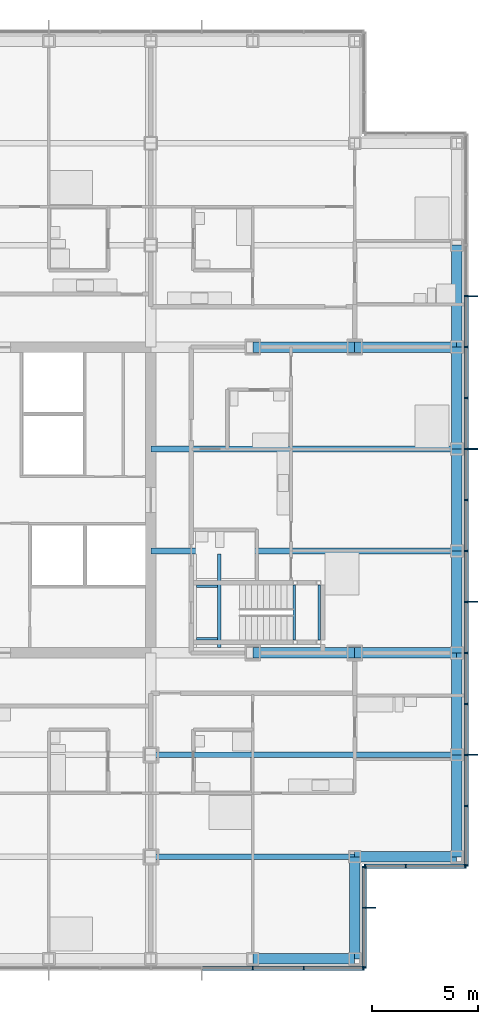
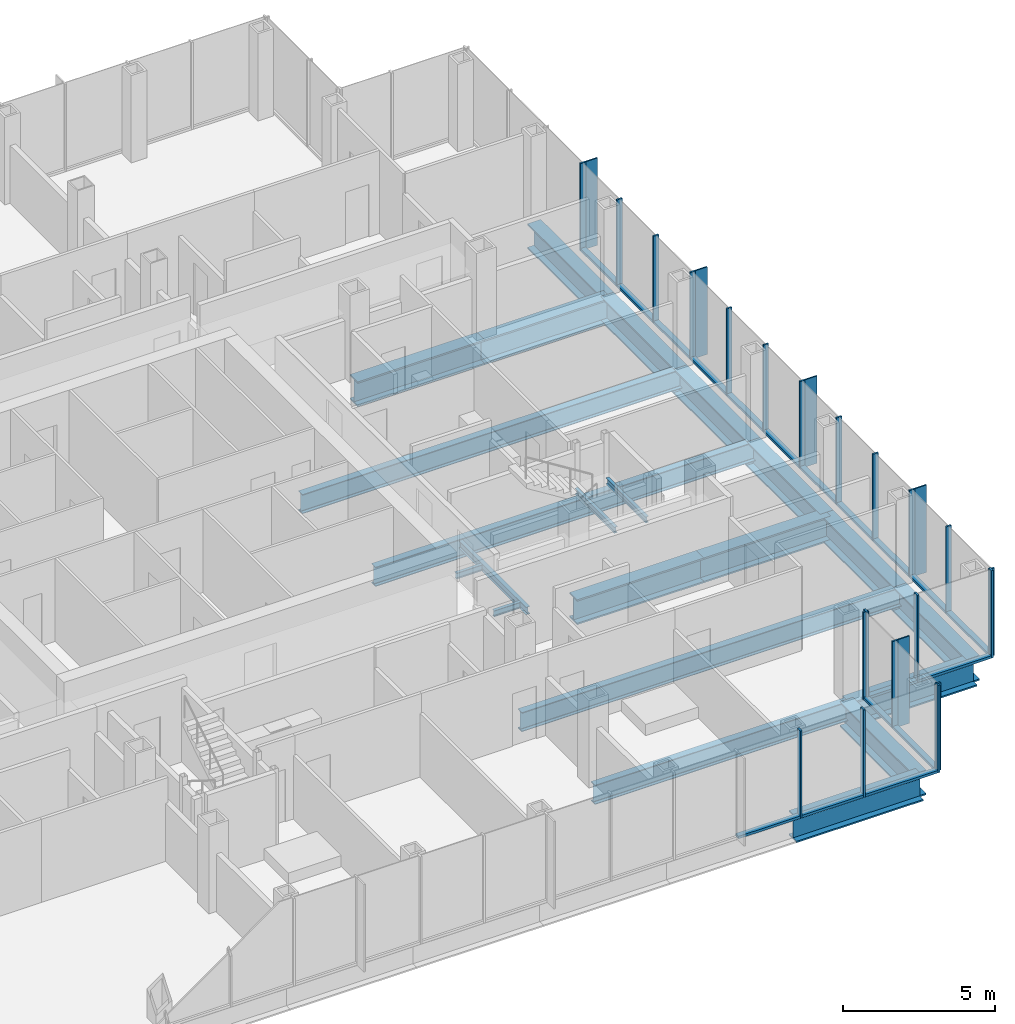
# One storey, part 9 of 21: 44 members, 22 beams, 4 elements without a shape of their own.
"""IFC4 building model written with IfcOpenShell, lengths in metres."""

from ifc_helpers import new_model, si_unit, direction, frame, origin, origin_2d, place, context, subcontext, project, spatial, rectangle, i_section, extrude, material, material_profile, profile_set, type_object, element, aggregate, save


model = new_model("IFC4")

# Units and contexts
model_context = context("Model", 3, precision=1e-05, world=origin(), true_north=direction((0.0, 1.0)))
body_context = subcontext(model_context, "Body", "Model", "MODEL_VIEW")
ifc_project = project(units=[si_unit("LENGTHUNIT", "METRE"), si_unit("AREAUNIT", "SQUARE_METRE"), si_unit("VOLUMEUNIT", "CUBIC_METRE"), si_unit("PLANEANGLEUNIT", "RADIAN"), si_unit("MASSUNIT", "GRAM", prefix="KILO")], contexts=[model_context])

# Site, building, storey
site_placement = place(None, origin())
site = spatial("IfcSite", under=ifc_project, at=site_placement, CompositionType="ELEMENT")
building_placement = place(site_placement, origin())
building = spatial("IfcBuilding", under=site, at=building_placement, Name="Kvirike Care Tower", CompositionType="ELEMENT")
storey_placement = place(building_placement, frame((0.0, 0.0, 65.5)))
storey = spatial("IfcBuildingStorey", under=building, at=storey_placement, Name="L17", CompositionType="ELEMENT", Elevation=65.5)

# Curtain wall, member
ifc_material_1 = material(Name="Anodised aluminium stick system", Category="aluminium")
curtain_wall_type = type_object("IfcCurtainWallType", Name="CW-A STICK CURTAIN WALL", PredefinedType="NOTDEFINED", material=ifc_material_1)
curtain_wall_1_placement = place(storey_placement, origin())
curtain_wall_1 = element("IfcCurtainWall", 1, at=curtain_wall_1_placement, inside=storey, type_object=curtain_wall_type, Name="Curtain wall L17 face 5", PredefinedType="NOTDEFINED")
ifc_material_2 = material(Name="Bronze anodised aluminium fin", Category="aluminium")
ifc_material_profile_1 = material_profile(ifc_material_2, rectangle(XDim=0.050048828125, YDim=0.449951171875, at=origin_2d()), Name="BRONZE FIN 450")
ifc_profile_set_1 = profile_set([ifc_material_profile_1], Name="Bronze anodised aluminium fin")
member_type_1 = type_object("IfcMemberType", Name="BRONZE FIN 450", PredefinedType="USERDEFINED", material=ifc_profile_set_1)
member_1_placement = place(storey_placement, frame((39.175048828125, 16.800048828125, 0.0), z_axis=(0.0, 0.0, 1.0), x_axis=(0.0, 1.0, 0.0)))
member_1 = element("IfcMember", 2, at=member_1_placement, type_object=member_type_1, Name="Bronze fin L17 face 5.2", ObjectType="FIN", PredefinedType="USERDEFINED", context=body_context, shape_type="SweptSolid", body=[
    extrude(rectangle(XDim=0.050048828125, YDim=0.449951171875, at=origin_2d()), origin(), (0.0, 0.0, 1.0), 3.5),
])

# Curtain wall, members
curtain_wall_2_placement = place(storey_placement, origin())
curtain_wall_2 = element("IfcCurtainWall", 3, at=curtain_wall_2_placement, inside=storey, type_object=curtain_wall_type, Name="Curtain wall L17 face 7", PredefinedType="NOTDEFINED")
member_2_placement = place(storey_placement, frame((43.97509765625, 24.0, 0.0), z_axis=(0.0, 0.0, 1.0), x_axis=(0.0, 1.0, 0.0)))
member_2 = element("IfcMember", 4, at=member_2_placement, type_object=member_type_1, Name="Bronze fin L17 face 7.3", ObjectType="FIN", PredefinedType="USERDEFINED", context=body_context, shape_type="SweptSolid", body=[
    extrude(rectangle(XDim=0.050048828125, YDim=0.449951171875, at=origin_2d()), origin(), (0.0, 0.0, 1.0), 3.5),
])
member_3_placement = place(storey_placement, frame((43.97509765625, 31.199951171875, 0.0), z_axis=(0.0, 0.0, 1.0), x_axis=(0.0, 1.0, 0.0)))
member_3 = element("IfcMember", 5, at=member_3_placement, type_object=member_type_1, Name="Bronze fin L17 face 7.6", ObjectType="FIN", PredefinedType="USERDEFINED", context=body_context, shape_type="SweptSolid", body=[
    extrude(rectangle(XDim=0.050048828125, YDim=0.449951171875, at=origin_2d()), origin(), (0.0, 0.0, 1.0), 3.5),
])
member_4_placement = place(storey_placement, frame((43.97509765625, 38.39990234375, 0.0), z_axis=(0.0, 0.0, 1.0), x_axis=(0.0, 1.0, 0.0)))
member_4 = element("IfcMember", 6, at=member_4_placement, type_object=member_type_1, Name="Bronze fin L17 face 7.9", ObjectType="FIN", PredefinedType="USERDEFINED", context=body_context, shape_type="SweptSolid", body=[
    extrude(rectangle(XDim=0.050048828125, YDim=0.449951171875, at=origin_2d()), origin(), (0.0, 0.0, 1.0), 3.5),
])
member_5_placement = place(storey_placement, frame((43.97509765625, 45.60009765625, 0.0), z_axis=(0.0, 0.0, 1.0), x_axis=(0.0, 1.0, 0.0)))
member_5 = element("IfcMember", 7, at=member_5_placement, type_object=member_type_1, Name="Bronze fin L17 face 7.12", ObjectType="FIN", PredefinedType="USERDEFINED", context=body_context, shape_type="SweptSolid", body=[
    extrude(rectangle(XDim=0.050048828125, YDim=0.449951171875, at=origin_2d()), origin(), (0.0, 0.0, 1.0), 3.5),
])

curtain_wall_3_placement = place(storey_placement, origin())
curtain_wall_3 = element("IfcCurtainWall", 8, at=curtain_wall_3_placement, inside=storey, type_object=curtain_wall_type, Name="Curtain wall L17 face 4", PredefinedType="NOTDEFINED")
ifc_material_3 = material(Name="Bronze anodised aluminium mullion", Category="aluminium")
ifc_material_profile_2 = material_profile(ifc_material_3, rectangle(XDim=0.06494140625, YDim=0.199951171875, at=origin_2d()), Name="CW-A MULLION 65x200")
ifc_profile_set_2 = profile_set([ifc_material_profile_2], Name="Bronze anodised aluminium mullion")
member_type_2 = type_object("IfcMemberType", Name="CW-A MULLION 65x200", PredefinedType="MULLION", material=ifc_profile_set_2)
member_6_placement = place(storey_placement, frame((33.60009765625, 13.949951171875, 0.0), z_axis=(0.0, 0.0, 1.0), x_axis=(1.0, 0.0, 0.0)))
member_6 = element("IfcMember", 9, at=member_6_placement, type_object=member_type_2, Name="CW-A mullion L17 face 4.13", PredefinedType="MULLION", context=body_context, shape_type="SweptSolid", body=[
    extrude(rectangle(XDim=0.06494140625, YDim=0.199951171875, at=origin_2d()), origin(), (0.0, 0.0, 1.0), 3.5),
])
member_7_placement = place(storey_placement, frame((36.0, 13.949951171875, 0.0), z_axis=(0.0, 0.0, 1.0), x_axis=(1.0, 0.0, 0.0)))
member_7 = element("IfcMember", 10, at=member_7_placement, type_object=member_type_2, Name="CW-A mullion L17 face 4.14", PredefinedType="MULLION", context=body_context, shape_type="SweptSolid", body=[
    extrude(rectangle(XDim=0.06494140625, YDim=0.199951171875, at=origin_2d()), origin(), (0.0, 0.0, 1.0), 3.5),
])
member_8_placement = place(storey_placement, frame((38.8173828125, 13.949951171875, 0.0), z_axis=(0.0, 0.0, 1.0), x_axis=(1.0, 0.0, 0.0)))
member_8 = element("IfcMember", 11, at=member_8_placement, type_object=member_type_2, Name="CW-A mullion L17 face 4.15", PredefinedType="MULLION", context=body_context, shape_type="SweptSolid", body=[
    extrude(rectangle(XDim=0.06494140625, YDim=0.199951171875, at=origin_2d()), origin(), (0.0, 0.0, 1.0), 3.5),
])

# Member
member_9_placement = place(storey_placement, frame((38.85009765625, 13.982421875, 0.0), z_axis=(0.0, 0.0, 1.0), x_axis=(0.0, 1.0, 0.0)))
member_9 = element("IfcMember", 12, at=member_9_placement, type_object=member_type_2, Name="CW-A mullion L17 face 5.1", PredefinedType="MULLION", context=body_context, shape_type="SweptSolid", body=[
    extrude(rectangle(XDim=0.06494140625, YDim=0.199951171875, at=origin_2d()), origin(), (0.0, 0.0, 1.0), 3.5),
])

member_10_placement = place(storey_placement, frame((38.85009765625, 16.800048828125, 0.0), z_axis=(0.0, 0.0, 1.0), x_axis=(0.0, 1.0, 0.0)))
member_10 = element("IfcMember", 13, at=member_10_placement, type_object=member_type_2, Name="CW-A mullion L17 face 5.2", PredefinedType="MULLION", context=body_context, shape_type="SweptSolid", body=[
    extrude(rectangle(XDim=0.06494140625, YDim=0.199951171875, at=origin_2d()), origin(), (0.0, 0.0, 1.0), 3.5),
])

member_11_placement = place(storey_placement, frame((38.85009765625, 18.717529296875, 0.0), z_axis=(0.0, 0.0, 1.0), x_axis=(0.0, 1.0, 0.0)))
member_11 = element("IfcMember", 14, at=member_11_placement, type_object=member_type_2, Name="CW-A mullion L17 face 5.3", PredefinedType="MULLION", context=body_context, shape_type="SweptSolid", body=[
    extrude(rectangle(XDim=0.06494140625, YDim=0.199951171875, at=origin_2d()), origin(), (0.0, 0.0, 1.0), 3.5),
])

# Curtain wall, members
curtain_wall_4_placement = place(storey_placement, origin())
curtain_wall_4 = element("IfcCurtainWall", 15, at=curtain_wall_4_placement, inside=storey, type_object=curtain_wall_type, Name="Curtain wall L17 face 6", PredefinedType="NOTDEFINED")
member_12_placement = place(storey_placement, frame((38.882568359375, 18.75, 0.0), z_axis=(0.0, 0.0, 1.0), x_axis=(1.0, 0.0, 0.0)))
member_12 = element("IfcMember", 16, at=member_12_placement, type_object=member_type_2, Name="CW-A mullion L17 face 6.1", PredefinedType="MULLION", context=body_context, shape_type="SweptSolid", body=[
    extrude(rectangle(XDim=0.06494140625, YDim=0.199951171875, at=origin_2d()), origin(), (0.0, 0.0, 1.0), 3.5),
])
member_13_placement = place(storey_placement, frame((40.800048828125, 18.75, 0.0), z_axis=(0.0, 0.0, 1.0), x_axis=(1.0, 0.0, 0.0)))
member_13 = element("IfcMember", 17, at=member_13_placement, type_object=member_type_2, Name="CW-A mullion L17 face 6.2", PredefinedType="MULLION", context=body_context, shape_type="SweptSolid", body=[
    extrude(rectangle(XDim=0.06494140625, YDim=0.199951171875, at=origin_2d()), origin(), (0.0, 0.0, 1.0), 3.5),
])
member_14_placement = place(storey_placement, frame((43.617431640625, 18.75, 0.0), z_axis=(0.0, 0.0, 1.0), x_axis=(1.0, 0.0, 0.0)))
member_14 = element("IfcMember", 18, at=member_14_placement, type_object=member_type_2, Name="CW-A mullion L17 face 6.3", PredefinedType="MULLION", context=body_context, shape_type="SweptSolid", body=[
    extrude(rectangle(XDim=0.06494140625, YDim=0.199951171875, at=origin_2d()), origin(), (0.0, 0.0, 1.0), 3.5),
])

# Member
member_15_placement = place(storey_placement, frame((43.64990234375, 18.782470703125, 0.0), z_axis=(0.0, 0.0, 1.0), x_axis=(0.0, 1.0, 0.0)))
member_15 = element("IfcMember", 19, at=member_15_placement, type_object=member_type_2, Name="CW-A mullion L17 face 7.1", PredefinedType="MULLION", context=body_context, shape_type="SweptSolid", body=[
    extrude(rectangle(XDim=0.06494140625, YDim=0.199951171875, at=origin_2d()), origin(), (0.0, 0.0, 1.0), 3.5),
])

member_16_placement = place(storey_placement, frame((43.64990234375, 21.60009765625, 0.0), z_axis=(0.0, 0.0, 1.0), x_axis=(0.0, 1.0, 0.0)))
member_16 = element("IfcMember", 20, at=member_16_placement, type_object=member_type_2, Name="CW-A mullion L17 face 7.2", PredefinedType="MULLION", context=body_context, shape_type="SweptSolid", body=[
    extrude(rectangle(XDim=0.06494140625, YDim=0.199951171875, at=origin_2d()), origin(), (0.0, 0.0, 1.0), 3.5),
])

member_17_placement = place(storey_placement, frame((43.64990234375, 24.0, 0.0), z_axis=(0.0, 0.0, 1.0), x_axis=(0.0, 1.0, 0.0)))
member_17 = element("IfcMember", 21, at=member_17_placement, type_object=member_type_2, Name="CW-A mullion L17 face 7.3", PredefinedType="MULLION", context=body_context, shape_type="SweptSolid", body=[
    extrude(rectangle(XDim=0.06494140625, YDim=0.199951171875, at=origin_2d()), origin(), (0.0, 0.0, 1.0), 3.5),
])

member_18_placement = place(storey_placement, frame((43.64990234375, 26.39990234375, 0.0), z_axis=(0.0, 0.0, 1.0), x_axis=(0.0, 1.0, 0.0)))
member_18 = element("IfcMember", 22, at=member_18_placement, type_object=member_type_2, Name="CW-A mullion L17 face 7.4", PredefinedType="MULLION", context=body_context, shape_type="SweptSolid", body=[
    extrude(rectangle(XDim=0.06494140625, YDim=0.199951171875, at=origin_2d()), origin(), (0.0, 0.0, 1.0), 3.5),
])

member_19_placement = place(storey_placement, frame((43.64990234375, 28.800048828125, 0.0), z_axis=(0.0, 0.0, 1.0), x_axis=(0.0, 1.0, 0.0)))
member_19 = element("IfcMember", 23, at=member_19_placement, type_object=member_type_2, Name="CW-A mullion L17 face 7.5", PredefinedType="MULLION", context=body_context, shape_type="SweptSolid", body=[
    extrude(rectangle(XDim=0.06494140625, YDim=0.199951171875, at=origin_2d()), origin(), (0.0, 0.0, 1.0), 3.5),
])

member_20_placement = place(storey_placement, frame((43.64990234375, 31.199951171875, 0.0), z_axis=(0.0, 0.0, 1.0), x_axis=(0.0, 1.0, 0.0)))
member_20 = element("IfcMember", 24, at=member_20_placement, type_object=member_type_2, Name="CW-A mullion L17 face 7.6", PredefinedType="MULLION", context=body_context, shape_type="SweptSolid", body=[
    extrude(rectangle(XDim=0.06494140625, YDim=0.199951171875, at=origin_2d()), origin(), (0.0, 0.0, 1.0), 3.5),
])

member_21_placement = place(storey_placement, frame((43.64990234375, 33.60009765625, 0.0), z_axis=(0.0, 0.0, 1.0), x_axis=(0.0, 1.0, 0.0)))
member_21 = element("IfcMember", 25, at=member_21_placement, type_object=member_type_2, Name="CW-A mullion L17 face 7.7", PredefinedType="MULLION", context=body_context, shape_type="SweptSolid", body=[
    extrude(rectangle(XDim=0.06494140625, YDim=0.199951171875, at=origin_2d()), origin(), (0.0, 0.0, 1.0), 3.5),
])

member_22_placement = place(storey_placement, frame((43.64990234375, 36.0, 0.0), z_axis=(0.0, 0.0, 1.0), x_axis=(0.0, 1.0, 0.0)))
member_22 = element("IfcMember", 26, at=member_22_placement, type_object=member_type_2, Name="CW-A mullion L17 face 7.8", PredefinedType="MULLION", context=body_context, shape_type="SweptSolid", body=[
    extrude(rectangle(XDim=0.06494140625, YDim=0.199951171875, at=origin_2d()), origin(), (0.0, 0.0, 1.0), 3.5),
])

member_23_placement = place(storey_placement, frame((43.64990234375, 38.39990234375, 0.0), z_axis=(0.0, 0.0, 1.0), x_axis=(0.0, 1.0, 0.0)))
member_23 = element("IfcMember", 27, at=member_23_placement, type_object=member_type_2, Name="CW-A mullion L17 face 7.9", PredefinedType="MULLION", context=body_context, shape_type="SweptSolid", body=[
    extrude(rectangle(XDim=0.06494140625, YDim=0.199951171875, at=origin_2d()), origin(), (0.0, 0.0, 1.0), 3.5),
])

member_24_placement = place(storey_placement, frame((43.64990234375, 40.800048828125, 0.0), z_axis=(0.0, 0.0, 1.0), x_axis=(0.0, 1.0, 0.0)))
member_24 = element("IfcMember", 28, at=member_24_placement, type_object=member_type_2, Name="CW-A mullion L17 face 7.10", PredefinedType="MULLION", context=body_context, shape_type="SweptSolid", body=[
    extrude(rectangle(XDim=0.06494140625, YDim=0.199951171875, at=origin_2d()), origin(), (0.0, 0.0, 1.0), 3.5),
])

member_25_placement = place(storey_placement, frame((43.64990234375, 43.199951171875, 0.0), z_axis=(0.0, 0.0, 1.0), x_axis=(0.0, 1.0, 0.0)))
member_25 = element("IfcMember", 29, at=member_25_placement, type_object=member_type_2, Name="CW-A mullion L17 face 7.11", PredefinedType="MULLION", context=body_context, shape_type="SweptSolid", body=[
    extrude(rectangle(XDim=0.06494140625, YDim=0.199951171875, at=origin_2d()), origin(), (0.0, 0.0, 1.0), 3.5),
])

member_26_placement = place(storey_placement, frame((43.64990234375, 45.60009765625, 0.0), z_axis=(0.0, 0.0, 1.0), x_axis=(0.0, 1.0, 0.0)))
member_26 = element("IfcMember", 30, at=member_26_placement, type_object=member_type_2, Name="CW-A mullion L17 face 7.12", PredefinedType="MULLION", context=body_context, shape_type="SweptSolid", body=[
    extrude(rectangle(XDim=0.06494140625, YDim=0.199951171875, at=origin_2d()), origin(), (0.0, 0.0, 1.0), 3.5),
])

ifc_material_4 = material(Name="Bronze anodised aluminium transom", Category="aluminium")
ifc_material_profile_3 = material_profile(ifc_material_4, rectangle(XDim=0.199951171875, YDim=0.10009765625, at=origin_2d()), Name="CW-A TRANSOM 200x100")
ifc_profile_set_3 = profile_set([ifc_material_profile_3], Name="Bronze anodised aluminium transom")
member_type_3 = type_object("IfcMemberType", Name="CW-A TRANSOM 200x100", PredefinedType="USERDEFINED", material=ifc_profile_set_3)
member_27_placement = place(storey_placement, frame((31.232421875, 13.949951171875, 0.050048828125), z_axis=(1.0, 0.0, 0.0), x_axis=(0.0, 1.0, 0.0)))
member_27 = element("IfcMember", 31, at=member_27_placement, type_object=member_type_3, Name="CW-A sill transom L17 face 4.12", ObjectType="TRANSOM", PredefinedType="USERDEFINED", context=body_context, shape_type="SweptSolid", body=[
    extrude(rectangle(XDim=0.199951171875, YDim=0.10009765625, at=origin_2d()), origin(), (0.0, 0.0, 1.0), 2.3349609375),
])

member_28_placement = place(storey_placement, frame((33.632568359375, 13.949951171875, 0.050048828125), z_axis=(1.0, 0.0, 0.0), x_axis=(0.0, 1.0, 0.0)))
member_28 = element("IfcMember", 32, at=member_28_placement, type_object=member_type_3, Name="CW-A sill transom L17 face 4.13", ObjectType="TRANSOM", PredefinedType="USERDEFINED", context=body_context, shape_type="SweptSolid", body=[
    extrude(rectangle(XDim=0.199951171875, YDim=0.10009765625, at=origin_2d()), origin(), (0.0, 0.0, 1.0), 2.3349609375),
])

member_29_placement = place(storey_placement, frame((36.032470703125, 13.949951171875, 0.050048828125), z_axis=(1.0, 0.0, 0.0), x_axis=(0.0, 1.0, 0.0)))
member_29 = element("IfcMember", 33, at=member_29_placement, type_object=member_type_3, Name="CW-A sill transom L17 face 4.14", ObjectType="TRANSOM", PredefinedType="USERDEFINED", context=body_context, shape_type="SweptSolid", body=[
    extrude(rectangle(XDim=0.199951171875, YDim=0.10009765625, at=origin_2d()), origin(), (0.0, 0.0, 1.0), 2.75244140625),
])

aggregate(curtain_wall_3, [member_6, member_7, member_8, member_27, member_28, member_29])

member_30_placement = place(storey_placement, frame((38.85009765625, 14.014892578125, 0.050048828125), z_axis=(0.0, 1.0, 0.0), x_axis=(-1.0, 0.0, 0.0)))
member_30 = element("IfcMember", 34, at=member_30_placement, type_object=member_type_3, Name="CW-A sill transom L17 face 5.1", ObjectType="TRANSOM", PredefinedType="USERDEFINED", context=body_context, shape_type="SweptSolid", body=[
    extrude(rectangle(XDim=0.199951171875, YDim=0.10009765625, at=origin_2d()), origin(), (0.0, 0.0, 1.0), 2.752685546875),
])

member_31_placement = place(storey_placement, frame((38.85009765625, 16.83251953125, 0.050048828125), z_axis=(0.0, 1.0, 0.0), x_axis=(-1.0, 0.0, 0.0)))
member_31 = element("IfcMember", 35, at=member_31_placement, type_object=member_type_3, Name="CW-A sill transom L17 face 5.2", ObjectType="TRANSOM", PredefinedType="USERDEFINED", context=body_context, shape_type="SweptSolid", body=[
    extrude(rectangle(XDim=0.199951171875, YDim=0.10009765625, at=origin_2d()), origin(), (0.0, 0.0, 1.0), 1.8525390625),
])

aggregate(curtain_wall_1, [member_9, member_10, member_1, member_11, member_30, member_31])

member_32_placement = place(storey_placement, frame((38.9150390625, 18.75, 0.050048828125), z_axis=(1.0, 0.0, 0.0), x_axis=(0.0, 1.0, 0.0)))
member_32 = element("IfcMember", 36, at=member_32_placement, type_object=member_type_3, Name="CW-A sill transom L17 face 6.1", ObjectType="TRANSOM", PredefinedType="USERDEFINED", context=body_context, shape_type="SweptSolid", body=[
    extrude(rectangle(XDim=0.199951171875, YDim=0.10009765625, at=origin_2d()), origin(), (0.0, 0.0, 1.0), 1.8525390625),
])

member_33_placement = place(storey_placement, frame((40.83251953125, 18.75, 0.050048828125), z_axis=(1.0, 0.0, 0.0), x_axis=(0.0, 1.0, 0.0)))
member_33 = element("IfcMember", 37, at=member_33_placement, type_object=member_type_3, Name="CW-A sill transom L17 face 6.2", ObjectType="TRANSOM", PredefinedType="USERDEFINED", context=body_context, shape_type="SweptSolid", body=[
    extrude(rectangle(XDim=0.199951171875, YDim=0.10009765625, at=origin_2d()), origin(), (0.0, 0.0, 1.0), 2.75244140625),
])

aggregate(curtain_wall_4, [member_12, member_13, member_14, member_32, member_33])

member_34_placement = place(storey_placement, frame((43.64990234375, 18.81494140625, 0.050048828125), z_axis=(0.0, 1.0, 0.0), x_axis=(-1.0, 0.0, 0.0)))
member_34 = element("IfcMember", 38, at=member_34_placement, type_object=member_type_3, Name="CW-A sill transom L17 face 7.1", ObjectType="TRANSOM", PredefinedType="USERDEFINED", context=body_context, shape_type="SweptSolid", body=[
    extrude(rectangle(XDim=0.199951171875, YDim=0.10009765625, at=origin_2d()), origin(), (0.0, 0.0, 1.0), 2.75244140625),
])

member_35_placement = place(storey_placement, frame((43.64990234375, 21.632568359375, 0.050048828125), z_axis=(0.0, 1.0, 0.0), x_axis=(-1.0, 0.0, 0.0)))
member_35 = element("IfcMember", 39, at=member_35_placement, type_object=member_type_3, Name="CW-A sill transom L17 face 7.2", ObjectType="TRANSOM", PredefinedType="USERDEFINED", context=body_context, shape_type="SweptSolid", body=[
    extrude(rectangle(XDim=0.199951171875, YDim=0.10009765625, at=origin_2d()), origin(), (0.0, 0.0, 1.0), 2.3349609375),
])

member_36_placement = place(storey_placement, frame((43.64990234375, 24.032470703125, 0.050048828125), z_axis=(0.0, 1.0, 0.0), x_axis=(-1.0, 0.0, 0.0)))
member_36 = element("IfcMember", 40, at=member_36_placement, type_object=member_type_3, Name="CW-A sill transom L17 face 7.3", ObjectType="TRANSOM", PredefinedType="USERDEFINED", context=body_context, shape_type="SweptSolid", body=[
    extrude(rectangle(XDim=0.199951171875, YDim=0.10009765625, at=origin_2d()), origin(), (0.0, 0.0, 1.0), 2.3349609375),
])

member_37_placement = place(storey_placement, frame((43.64990234375, 26.4326171875, 0.050048828125), z_axis=(0.0, 1.0, 0.0), x_axis=(-1.0, 0.0, 0.0)))
member_37 = element("IfcMember", 41, at=member_37_placement, type_object=member_type_3, Name="CW-A sill transom L17 face 7.4", ObjectType="TRANSOM", PredefinedType="USERDEFINED", context=body_context, shape_type="SweptSolid", body=[
    extrude(rectangle(XDim=0.199951171875, YDim=0.10009765625, at=origin_2d()), origin(), (0.0, 0.0, 1.0), 2.3349609375),
])

member_38_placement = place(storey_placement, frame((43.64990234375, 28.83251953125, 0.050048828125), z_axis=(0.0, 1.0, 0.0), x_axis=(-1.0, 0.0, 0.0)))
member_38 = element("IfcMember", 42, at=member_38_placement, type_object=member_type_3, Name="CW-A sill transom L17 face 7.5", ObjectType="TRANSOM", PredefinedType="USERDEFINED", context=body_context, shape_type="SweptSolid", body=[
    extrude(rectangle(XDim=0.199951171875, YDim=0.10009765625, at=origin_2d()), origin(), (0.0, 0.0, 1.0), 2.3349609375),
])

member_39_placement = place(storey_placement, frame((43.64990234375, 31.232421875, 0.050048828125), z_axis=(0.0, 1.0, 0.0), x_axis=(-1.0, 0.0, 0.0)))
member_39 = element("IfcMember", 43, at=member_39_placement, type_object=member_type_3, Name="CW-A sill transom L17 face 7.6", ObjectType="TRANSOM", PredefinedType="USERDEFINED", context=body_context, shape_type="SweptSolid", body=[
    extrude(rectangle(XDim=0.199951171875, YDim=0.10009765625, at=origin_2d()), origin(), (0.0, 0.0, 1.0), 2.3349609375),
])

member_40_placement = place(storey_placement, frame((43.64990234375, 33.632568359375, 0.050048828125), z_axis=(0.0, 1.0, 0.0), x_axis=(-1.0, 0.0, 0.0)))
member_40 = element("IfcMember", 44, at=member_40_placement, type_object=member_type_3, Name="CW-A sill transom L17 face 7.7", ObjectType="TRANSOM", PredefinedType="USERDEFINED", context=body_context, shape_type="SweptSolid", body=[
    extrude(rectangle(XDim=0.199951171875, YDim=0.10009765625, at=origin_2d()), origin(), (0.0, 0.0, 1.0), 2.3349609375),
])

member_41_placement = place(storey_placement, frame((43.64990234375, 36.032470703125, 0.050048828125), z_axis=(0.0, 1.0, 0.0), x_axis=(-1.0, 0.0, 0.0)))
member_41 = element("IfcMember", 45, at=member_41_placement, type_object=member_type_3, Name="CW-A sill transom L17 face 7.8", ObjectType="TRANSOM", PredefinedType="USERDEFINED", context=body_context, shape_type="SweptSolid", body=[
    extrude(rectangle(XDim=0.199951171875, YDim=0.10009765625, at=origin_2d()), origin(), (0.0, 0.0, 1.0), 2.3349609375),
])

member_42_placement = place(storey_placement, frame((43.64990234375, 38.4326171875, 0.050048828125), z_axis=(0.0, 1.0, 0.0), x_axis=(-1.0, 0.0, 0.0)))
member_42 = element("IfcMember", 46, at=member_42_placement, type_object=member_type_3, Name="CW-A sill transom L17 face 7.9", ObjectType="TRANSOM", PredefinedType="USERDEFINED", context=body_context, shape_type="SweptSolid", body=[
    extrude(rectangle(XDim=0.199951171875, YDim=0.10009765625, at=origin_2d()), origin(), (0.0, 0.0, 1.0), 2.3349609375),
])

member_43_placement = place(storey_placement, frame((43.64990234375, 40.83251953125, 0.050048828125), z_axis=(0.0, 1.0, 0.0), x_axis=(-1.0, 0.0, 0.0)))
member_43 = element("IfcMember", 47, at=member_43_placement, type_object=member_type_3, Name="CW-A sill transom L17 face 7.10", ObjectType="TRANSOM", PredefinedType="USERDEFINED", context=body_context, shape_type="SweptSolid", body=[
    extrude(rectangle(XDim=0.199951171875, YDim=0.10009765625, at=origin_2d()), origin(), (0.0, 0.0, 1.0), 2.3349609375),
])

member_44_placement = place(storey_placement, frame((43.64990234375, 43.232421875, 0.050048828125), z_axis=(0.0, 1.0, 0.0), x_axis=(-1.0, 0.0, 0.0)))
member_44 = element("IfcMember", 48, at=member_44_placement, type_object=member_type_3, Name="CW-A sill transom L17 face 7.11", ObjectType="TRANSOM", PredefinedType="USERDEFINED", context=body_context, shape_type="SweptSolid", body=[
    extrude(rectangle(XDim=0.199951171875, YDim=0.10009765625, at=origin_2d()), origin(), (0.0, 0.0, 1.0), 2.3349609375),
])

aggregate(curtain_wall_2, [member_15, member_16, member_17, member_2, member_18, member_19, member_20, member_3, member_21, member_22, member_23, member_4, member_24, member_25, member_26, member_5, member_34, member_35, member_36, member_37, member_38, member_39, member_40, member_41, member_42, member_43, member_44])

# Beams
ifc_material_5 = material(Name="Steel S355", Category="steel")
ifc_material_profile_4 = material_profile(ifc_material_5, i_section(OverallWidth=0.26806640625, OverallDepth=0.77001953125, WebThickness=0.015625, FlangeThickness=0.025390625, FilletRadius=0.01708984375, at=origin_2d()), Name="IPE 750x196")
ifc_profile_set_4 = profile_set([ifc_material_profile_4], Name="Steel S355")
beam_type_1 = type_object("IfcBeamType", Name="FLOOR BEAM IPE 750x196", PredefinedType="BEAM", material=ifc_profile_set_4)
beam_1_placement = place(storey_placement, frame((28.800048828125, 19.199951171875, -0.554931640625), z_axis=(1.0, 0.0, 0.0), x_axis=(0.0, 1.0, 0.0)))
element("IfcBeam", 49, at=beam_1_placement, inside=storey, type_object=beam_type_1, Name="Floor Beam E9-E11 L17", PredefinedType="BEAM", context=body_context, shape_type="SweptSolid", body=[
    extrude(i_section(OverallWidth=0.26806640625, OverallDepth=0.77001953125, WebThickness=0.015625, FlangeThickness=0.025390625, FilletRadius=0.01708984375, at=origin_2d()), origin(), (0.0, 0.0, 1.0), 9.599853515625),
])
for number, where, z_axis, x_axis, name in (
    (50, (28.800048828125, 24.0, -0.554931640625), (1.0, 0.0, 0.0), (0.0, 1.0, 0.0), "Floor Beam F9-F12 L17"),
    (51, (28.800048828125, 33.60009765625, -0.554931640625), (1.0, 0.0, 0.0), (0.0, 1.0, 0.0), "Floor Beam H9-H12 L17"),
    (52, (28.800048828125, 38.39990234375, -0.554931640625), (1.0, 0.0, 0.0), (0.0, 1.0, 0.0), "Floor Beam J9-J12 L17"),
):
    element("IfcBeam", number, at=place(storey_placement, frame(where, z_axis=z_axis, x_axis=x_axis)), inside=storey, type_object=beam_type_1, Name=name, PredefinedType="BEAM", context=body_context, shape_type="SweptSolid", body=[
        extrude(i_section(OverallWidth=0.26806640625, OverallDepth=0.77001953125, WebThickness=0.015625, FlangeThickness=0.025390625, FilletRadius=0.01708984375, at=origin_2d()), origin(), (0.0, 0.0, 1.0), 14.39990234375),
    ])
ifc_material_6 = material(Name="Steel S355", Category="steel")
ifc_material_profile_5 = material_profile(ifc_material_6, i_section(OverallWidth=0.5, OverallDepth=1.0, WebThickness=0.030029296875, FlangeThickness=0.06005859375, at=origin_2d()), Name="PG 1000x500x30x60")
ifc_profile_set_5 = profile_set([ifc_material_profile_5], Name="Steel S355")
beam_type_2 = type_object("IfcBeamType", Name="FRAME BEAM PG 1000x500x30x60", PredefinedType="BEAM", material=ifc_profile_set_5)
beam_2_placement = place(storey_placement, frame((33.60009765625, 28.800048828125, -0.669921875), z_axis=(1.0, 0.0, 0.0), x_axis=(0.0, 1.0, 0.0)))
element("IfcBeam", 53, at=beam_2_placement, inside=storey, type_object=beam_type_2, Name="Frame Beam G10-G11 L17", PredefinedType="BEAM", context=body_context, shape_type="SweptSolid", body=[
    extrude(i_section(OverallWidth=0.5, OverallDepth=1.0, WebThickness=0.030029296875, FlangeThickness=0.06005859375, at=origin_2d()), origin(), (0.0, 0.0, 1.0), 4.7998046875),
])
beam_3_placement = place(storey_placement, frame((38.39990234375, 28.800048828125, -0.669921875), z_axis=(1.0, 0.0, 0.0), x_axis=(0.0, 1.0, 0.0)))
element("IfcBeam", 54, at=beam_3_placement, inside=storey, type_object=beam_type_2, Name="Frame Beam G11-G12 L17", PredefinedType="BEAM", context=body_context, shape_type="SweptSolid", body=[
    extrude(i_section(OverallWidth=0.5, OverallDepth=1.0, WebThickness=0.030029296875, FlangeThickness=0.06005859375, at=origin_2d()), origin(), (0.0, 0.0, 1.0), 4.800048828125),
])
beam_4_placement = place(storey_placement, frame((33.60009765625, 43.199951171875, -0.669921875), z_axis=(1.0, 0.0, 0.0), x_axis=(0.0, 1.0, 0.0)))
element("IfcBeam", 55, at=beam_4_placement, inside=storey, type_object=beam_type_2, Name="Frame Beam K10-K11 L17", PredefinedType="BEAM", context=body_context, shape_type="SweptSolid", body=[
    extrude(i_section(OverallWidth=0.5, OverallDepth=1.0, WebThickness=0.030029296875, FlangeThickness=0.06005859375, at=origin_2d()), origin(), (0.0, 0.0, 1.0), 4.7998046875),
])
beam_5_placement = place(storey_placement, frame((38.39990234375, 43.199951171875, -0.669921875), z_axis=(1.0, 0.0, 0.0), x_axis=(0.0, 1.0, 0.0)))
element("IfcBeam", 56, at=beam_5_placement, inside=storey, type_object=beam_type_2, Name="Frame Beam K11-K12 L17", PredefinedType="BEAM", context=body_context, shape_type="SweptSolid", body=[
    extrude(i_section(OverallWidth=0.5, OverallDepth=1.0, WebThickness=0.030029296875, FlangeThickness=0.06005859375, at=origin_2d()), origin(), (0.0, 0.0, 1.0), 4.800048828125),
])
ifc_material_7 = material(Name="Steel S355", Category="steel")
ifc_material_profile_6 = material_profile(ifc_material_7, i_section(OverallWidth=0.5, OverallDepth=1.0, WebThickness=0.030029296875, FlangeThickness=0.06005859375, at=origin_2d()), Name="PG 1000x500x30x60")
ifc_profile_set_6 = profile_set([ifc_material_profile_6], Name="Steel S355")
beam_type_3 = type_object("IfcBeamType", Name="SPANDREL PG 1000x500x30x60", PredefinedType="SPANDREL", material=ifc_profile_set_6)
beam_6_placement = place(storey_placement, frame((33.60009765625, 14.39990234375, -0.669921875), z_axis=(1.0, 0.0, 0.0), x_axis=(0.0, 1.0, 0.0)))
element("IfcBeam", 57, at=beam_6_placement, inside=storey, type_object=beam_type_3, Name="Spandrel D10-D11 L17", PredefinedType="SPANDREL", context=body_context, shape_type="SweptSolid", body=[
    extrude(i_section(OverallWidth=0.5, OverallDepth=1.0, WebThickness=0.030029296875, FlangeThickness=0.06005859375, at=origin_2d()), origin(), (0.0, 0.0, 1.0), 4.7998046875),
])
for number, where, z_axis, x_axis, name in (
    (58, (38.39990234375, 19.199951171875, -0.669921875), (1.0, 0.0, 0.0), (0.0, 1.0, 0.0), "Spandrel E11-E12 L17"),
    (59, (38.39990234375, 14.39990234375, -0.669921875), (0.0, 1.0, 0.0), (-1.0, 0.0, 0.0), "Spandrel D11-E11 L17"),
    (60, (43.199951171875, 19.199951171875, -0.669921875), (0.0, 1.0, 0.0), (-1.0, 0.0, 0.0), "Spandrel E12-F12 L17"),
    (61, (43.199951171875, 24.0, -0.669921875), (0.0, 1.0, 0.0), (-1.0, 0.0, 0.0), "Spandrel F12-G12 L17"),
    (62, (43.199951171875, 28.800048828125, -0.669921875), (0.0, 1.0, 0.0), (-1.0, 0.0, 0.0), "Spandrel G12-H12 L17"),
):
    element("IfcBeam", number, at=place(storey_placement, frame(where, z_axis=z_axis, x_axis=x_axis)), inside=storey, type_object=beam_type_3, Name=name, PredefinedType="SPANDREL", context=body_context, shape_type="SweptSolid", body=[
        extrude(i_section(OverallWidth=0.5, OverallDepth=1.0, WebThickness=0.030029296875, FlangeThickness=0.06005859375, at=origin_2d()), origin(), (0.0, 0.0, 1.0), 4.800048828125),
    ])
beam_7_placement = place(storey_placement, frame((43.199951171875, 33.60009765625, -0.669921875), z_axis=(0.0, 1.0, 0.0), x_axis=(-1.0, 0.0, 0.0)))
element("IfcBeam", 63, at=beam_7_placement, inside=storey, type_object=beam_type_3, Name="Spandrel H12-J12 L17", PredefinedType="SPANDREL", context=body_context, shape_type="SweptSolid", body=[
    extrude(i_section(OverallWidth=0.5, OverallDepth=1.0, WebThickness=0.030029296875, FlangeThickness=0.06005859375, at=origin_2d()), origin(), (0.0, 0.0, 1.0), 4.7998046875),
])
for number, where, z_axis, x_axis, name in (
    (64, (43.199951171875, 38.39990234375, -0.669921875), (0.0, 1.0, 0.0), (-1.0, 0.0, 0.0), "Spandrel J12-K12 L17"),
    (65, (43.199951171875, 43.199951171875, -0.669921875), (0.0, 1.0, 0.0), (-1.0, 0.0, 0.0), "Spandrel K12-L12 L17"),
):
    element("IfcBeam", number, at=place(storey_placement, frame(where, z_axis=z_axis, x_axis=x_axis)), inside=storey, type_object=beam_type_3, Name=name, PredefinedType="SPANDREL", context=body_context, shape_type="SweptSolid", body=[
        extrude(i_section(OverallWidth=0.5, OverallDepth=1.0, WebThickness=0.030029296875, FlangeThickness=0.06005859375, at=origin_2d()), origin(), (0.0, 0.0, 1.0), 4.800048828125),
    ])
ifc_material_8 = material(Name="Steel S355", Category="steel")
ifc_material_profile_7 = material_profile(ifc_material_8, i_section(OverallWidth=0.1201171875, OverallDepth=0.239990234375, WebThickness=0.006103515625, FlangeThickness=0.009765625, FilletRadius=0.014892578125, at=origin_2d()), Name="IPE 240")
ifc_profile_set_7 = profile_set([ifc_material_profile_7], Name="Steel S355")
beam_type_4 = type_object("IfcBeamType", Name="STAIR LANDING BEAM IPE 240", PredefinedType="BEAM", material=ifc_profile_set_7)
for number, where, z_axis, x_axis, name in (
    (66, (36.739990234375, 29.39990234375, 1.429931640625), (0.0, 1.0, 0.0), (-1.0, 0.0, 0.0), "Stair 2 landing beam back L17"),
    (67, (35.56005859375, 29.39990234375, 1.429931640625), (0.0, 1.0, 0.0), (-1.0, 0.0, 0.0), "Stair 2 landing beam front L17"),
):
    element("IfcBeam", number, at=place(storey_placement, frame(where, z_axis=z_axis, x_axis=x_axis)), inside=storey, type_object=beam_type_4, Name=name, PredefinedType="BEAM", context=body_context, shape_type="SweptSolid", body=[
        extrude(i_section(OverallWidth=0.1201171875, OverallDepth=0.239990234375, WebThickness=0.006103515625, FlangeThickness=0.009765625, FilletRadius=0.014892578125, at=origin_2d()), origin(), (0.0, 0.0, 1.0), 2.60009765625),
    ])
for number, where, z_axis, x_axis, name in (
    (68, (31.949951171875, 29.4599609375, -0.320068359375), (-1.0, 0.0, 0.0), (0.0, -1.0, 0.0), "Stair 2 landing edge beam 1 L17"),
    (69, (31.949951171875, 31.93994140625, -0.320068359375), (-1.0, 0.0, 0.0), (0.0, -1.0, 0.0), "Stair 2 landing edge beam 2 L17"),
):
    element("IfcBeam", number, at=place(storey_placement, frame(where, z_axis=z_axis, x_axis=x_axis)), inside=storey, type_object=beam_type_4, Name=name, PredefinedType="BEAM", context=body_context, shape_type="SweptSolid", body=[
        extrude(i_section(OverallWidth=0.1201171875, OverallDepth=0.239990234375, WebThickness=0.006103515625, FlangeThickness=0.009765625, FilletRadius=0.014892578125, at=origin_2d()), origin(), (0.0, 0.0, 1.0), 1.0),
    ])
ifc_material_9 = material(Name="Steel S355", Category="steel")
ifc_material_profile_8 = material_profile(ifc_material_9, i_section(OverallWidth=0.14990234375, OverallDepth=0.300048828125, WebThickness=0.007080078125, FlangeThickness=0.0107421875, FilletRadius=0.014892578125, at=origin_2d()), Name="IPE 300")
ifc_profile_set_8 = profile_set([ifc_material_profile_8], Name="Steel S355")
beam_type_5 = type_object("IfcBeamType", Name="STAIR TRIMMER IPE 300", PredefinedType="BEAM", material=ifc_profile_set_8)
beam_8_placement = place(storey_placement, frame((32.02490234375, 29.050048828125, -0.35009765625), z_axis=(0.0, 1.0, 0.0), x_axis=(-1.0, 0.0, 0.0)))
element("IfcBeam", 70, at=beam_8_placement, inside=storey, type_object=beam_type_5, Name="Stair 2 trimmer 1 L17", PredefinedType="BEAM", context=body_context, shape_type="SweptSolid", body=[
    extrude(i_section(OverallWidth=0.14990234375, OverallDepth=0.300048828125, WebThickness=0.007080078125, FlangeThickness=0.0107421875, FilletRadius=0.014892578125, at=origin_2d()), origin(), (0.0, 0.0, 1.0), 4.416015625),
])

save(model, "model.ifc")
